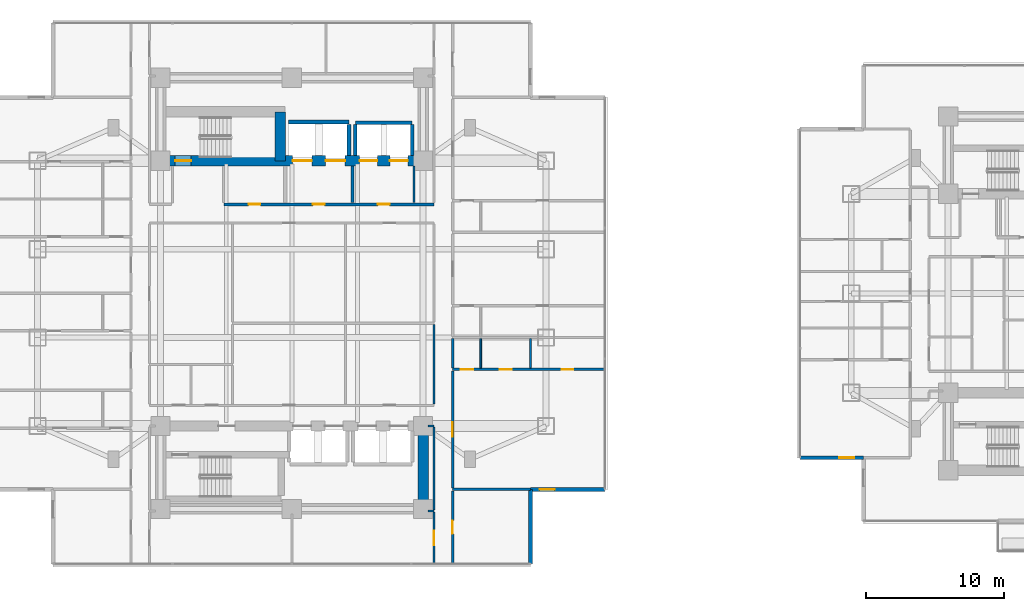
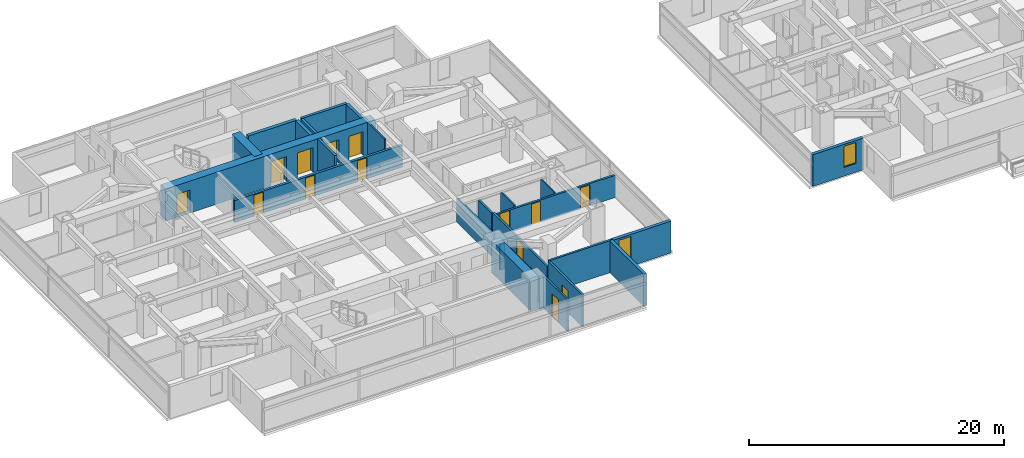
# One storey, part 16 of 27: 26 walls, 14 doors, 2 windows, 16 openings.
"""IFC4 building model written with IfcOpenShell, lengths in metres."""

from ifc_helpers import new_model, si_unit, direction, frame, frame_2d, origin, place, context, subcontext, project, spatial, rectangle, extrude, material, layer, layer_set, type_object, element, fill, save


model = new_model("IFC4")

# Units and contexts
model_context = context("Model", 3, precision=1e-05, world=origin(), true_north=direction((0.0, 1.0)))
body_context = subcontext(model_context, "Body", "Model", "MODEL_VIEW")
ifc_project = project(units=[si_unit("LENGTHUNIT", "METRE"), si_unit("AREAUNIT", "SQUARE_METRE"), si_unit("VOLUMEUNIT", "CUBIC_METRE"), si_unit("PLANEANGLEUNIT", "RADIAN"), si_unit("MASSUNIT", "GRAM", prefix="KILO")], contexts=[model_context])

# Site, building, storey
site_placement = place(None, origin())
site = spatial("IfcSite", under=ifc_project, at=site_placement, CompositionType="ELEMENT")
building_placement = place(site_placement, origin())
building = spatial("IfcBuilding", under=site, at=building_placement, Name="Mirazonda Arch Towers", CompositionType="ELEMENT")
storey_placement = place(building_placement, frame((0.0, 0.0, 42.199951171875)))
storey = spatial("IfcBuildingStorey", under=building, at=storey_placement, Name="L11", CompositionType="ELEMENT", Elevation=42.199951171875)

# Wall, openings, doors
ifc_material_1 = material(Name="Concrete C60/75", Category="concrete")
ifc_layer_1 = layer(ifc_material_1, 0.75, Name="WALL-CORE-750")
ifc_layer_set_1 = layer_set([ifc_layer_1], Name="Concrete C60/75")
wall_type_1 = type_object("IfcWallType", Name="WALL-CORE-750", PredefinedType="SHEAR", material=ifc_layer_set_1)
wall_1_placement = place(storey_placement, frame((11.0, 37.60009765625, 0.0), z_axis=(0.0, 0.0, 1.0), x_axis=(1.0, 0.0, 0.0)))
wall_1 = element("IfcWall", 1, at=wall_1_placement, inside=storey, type_object=wall_type_1, Name="L11 T1N-S Core Shear Wall", PredefinedType="SHEAR", context=body_context, shape_type="SweptSolid", body=[
    extrude(rectangle(XDim=19.0, YDim=0.75, at=frame_2d((9.5, 0.0))), origin(), (0.0, 0.0, 1.0), 3.06005859375),
])
opening_1_placement = place(wall_1_placement, frame((1.06005859375, 0.0, 0.0)))
opening_1 = element("IfcOpeningElement", 2, at=opening_1_placement, cuts=wall_1, Name="Opening DR-135", PredefinedType="OPENING", context=body_context, shape_type="SweptSolid", body=[
    extrude(rectangle(XDim=1.14990234375, YDim=2.199951171875, at=frame_2d((0.574951171875, 1.10009765625))), frame((0.0, 0.385009765625, 0.0), z_axis=(0.0, -1.0, 0.0), x_axis=(1.0, 0.0, 0.0)), (0.0, 0.0, 1.0), 0.77001953125),
])
opening_2_placement = place(wall_1_placement, frame((9.550048828125, 0.0, 0.0)))
opening_2 = element("IfcOpeningElement", 3, at=opening_2_placement, cuts=wall_1, Name="Opening LD-112", PredefinedType="OPENING", context=body_context, shape_type="SweptSolid", body=[
    extrude(rectangle(XDim=1.39990234375, YDim=2.35009765625, at=frame_2d((0.699951171875, 1.175048828125))), frame((0.0, 0.385009765625, 0.0), z_axis=(0.0, -1.0, 0.0), x_axis=(1.0, 0.0, 0.0)), (0.0, 0.0, 1.0), 0.77001953125),
])
opening_3_placement = place(wall_1_placement, frame((11.949951171875, 0.0, 0.0)))
opening_3 = element("IfcOpeningElement", 4, at=opening_3_placement, cuts=wall_1, Name="Opening LD-112", PredefinedType="OPENING", context=body_context, shape_type="SweptSolid", body=[
    extrude(rectangle(XDim=1.39990234375, YDim=2.35009765625, at=frame_2d((0.699951171875, 1.175048828125))), frame((0.0, 0.385009765625, 0.0), z_axis=(0.0, -1.0, 0.0), x_axis=(1.0, 0.0, 0.0)), (0.0, 0.0, 1.0), 0.77001953125),
])
opening_4_placement = place(wall_1_placement, frame((14.39990234375, 0.0, 0.0)))
opening_4 = element("IfcOpeningElement", 5, at=opening_4_placement, cuts=wall_1, Name="Opening LD-111", PredefinedType="OPENING", context=body_context, shape_type="SweptSolid", body=[
    extrude(rectangle(XDim=1.300048828125, YDim=2.300048828125, at=frame_2d((0.64990234375, 1.14990234375))), frame((0.0, 0.385009765625, 0.0), z_axis=(0.0, -1.0, 0.0), x_axis=(1.0, 0.0, 0.0)), (0.0, 0.0, 1.0), 0.77001953125),
])
opening_5_placement = place(wall_1_placement, frame((16.60009765625, 0.0, 0.0)))
opening_5 = element("IfcOpeningElement", 6, at=opening_5_placement, cuts=wall_1, Name="Opening LD-111", PredefinedType="OPENING", context=body_context, shape_type="SweptSolid", body=[
    extrude(rectangle(XDim=1.300048828125, YDim=2.300048828125, at=frame_2d((0.64990234375, 1.14990234375))), frame((0.0, 0.385009765625, 0.0), z_axis=(0.0, -1.0, 0.0), x_axis=(1.0, 0.0, 0.0)), (0.0, 0.0, 1.0), 0.77001953125),
])
ifc_material_2 = material(Name="Architectural Brushed Steel S355", Category="steel")
door_type_1 = type_object("IfcDoorType", Name="DOOR-LIFT-FFL-1400", OperationType="NOTDEFINED", PredefinedType="DOOR", material=ifc_material_2)
door_1_placement = place(opening_2_placement, origin())
door_1 = element("IfcDoor", 7, at=door_1_placement, inside=storey, type_object=door_type_1, Name="L11 Lift Landing Sliding Door FFL-T1", OperationType="DOUBLE_DOOR_SLIDING", OverallHeight=2.35009765625, OverallWidth=1.39990234375, PredefinedType="DOOR", context=body_context, shape_type="SweptSolid", body=[
    extrude(rectangle(XDim=1.39990234375, YDim=2.35009765625, at=frame_2d((0.699951171875, 1.175048828125))), frame((0.0, 0.02490234375, 0.0), z_axis=(0.0, -1.0, 0.0), x_axis=(1.0, 0.0, 0.0)), (0.0, 0.0, 1.0), 0.050048828125),
])
fill(opening_2, door_1)
door_2_placement = place(opening_3_placement, origin())
door_2 = element("IfcDoor", 8, at=door_2_placement, inside=storey, type_object=door_type_1, Name="L11 Lift Landing Sliding Door SVL-T1", OperationType="DOUBLE_DOOR_SLIDING", OverallHeight=2.35009765625, OverallWidth=1.39990234375, PredefinedType="DOOR", context=body_context, shape_type="SweptSolid", body=[
    extrude(rectangle(XDim=1.39990234375, YDim=2.35009765625, at=frame_2d((0.699951171875, 1.175048828125))), frame((0.0, 0.02490234375, 0.0), z_axis=(0.0, -1.0, 0.0), x_axis=(1.0, 0.0, 0.0)), (0.0, 0.0, 1.0), 0.050048828125),
])
fill(opening_3, door_2)
door_type_2 = type_object("IfcDoorType", Name="DOOR-LIFT-LAND-1300", OperationType="NOTDEFINED", PredefinedType="DOOR", material=ifc_material_2)
door_3_placement = place(opening_4_placement, origin())
door_3 = element("IfcDoor", 9, at=door_3_placement, inside=storey, type_object=door_type_2, Name="L11 Lift Landing Sliding Door PL-T1L1", OperationType="DOUBLE_DOOR_SLIDING", OverallHeight=2.300048828125, OverallWidth=1.300048828125, PredefinedType="DOOR", context=body_context, shape_type="SweptSolid", body=[
    extrude(rectangle(XDim=1.300048828125, YDim=2.300048828125, at=frame_2d((0.64990234375, 1.14990234375))), frame((0.0, 0.02490234375, 0.0), z_axis=(0.0, -1.0, 0.0), x_axis=(1.0, 0.0, 0.0)), (0.0, 0.0, 1.0), 0.050048828125),
])
fill(opening_4, door_3)
door_4_placement = place(opening_5_placement, origin())
door_4 = element("IfcDoor", 10, at=door_4_placement, inside=storey, type_object=door_type_2, Name="L11 Lift Landing Sliding Door PL-T1L2", OperationType="DOUBLE_DOOR_SLIDING", OverallHeight=2.300048828125, OverallWidth=1.300048828125, PredefinedType="DOOR", context=body_context, shape_type="SweptSolid", body=[
    extrude(rectangle(XDim=1.300048828125, YDim=2.300048828125, at=frame_2d((0.64990234375, 1.14990234375))), frame((0.0, 0.02490234375, 0.0), z_axis=(0.0, -1.0, 0.0), x_axis=(1.0, 0.0, 0.0)), (0.0, 0.0, 1.0), 0.050048828125),
])
fill(opening_5, door_4)
door_type_3 = type_object("IfcDoorType", Name="DOOR-STAIR-FD90-1150", OperationType="NOTDEFINED", PredefinedType="DOOR", material=ifc_material_2)
door_5_placement = place(opening_1_placement, origin())
door_5 = element("IfcDoor", 11, at=door_5_placement, inside=storey, type_object=door_type_3, Name="L11 Protected Exit Stair North Door", OperationType="SINGLE_SWING_RIGHT", OverallHeight=2.199951171875, OverallWidth=1.14990234375, PredefinedType="DOOR", context=body_context, shape_type="SweptSolid", body=[
    extrude(rectangle(XDim=1.14990234375, YDim=2.199951171875, at=frame_2d((0.574951171875, 1.10009765625))), frame((0.0, 0.02490234375, 0.0), z_axis=(0.0, -1.0, 0.0), x_axis=(1.0, 0.0, 0.0)), (0.0, 0.0, 1.0), 0.050048828125),
])
fill(opening_1, door_5)

# Walls
wall_2_placement = place(storey_placement, frame((19.64990234375, 37.60009765625, 0.0), z_axis=(0.0, 0.0, 1.0), x_axis=(0.0, 1.0, 0.0)))
element("IfcWall", 12, at=wall_2_placement, inside=storey, type_object=wall_type_1, Name="L11 T1N-STE Core Shear Wall", PredefinedType="SHEAR", context=body_context, shape_type="SweptSolid", body=[
    extrude(rectangle(XDim=3.54296875, YDim=0.75, at=frame_2d((1.771484375, 0.0))), origin(), (0.0, 0.0, 1.0), 3.06005859375),
])
wall_3_placement = place(storey_placement, frame((30.0, 12.39990234375, 0.0), z_axis=(0.0, 0.0, 1.0), x_axis=(0.0, 1.0, 0.0)))
element("IfcWall", 13, at=wall_3_placement, inside=storey, type_object=wall_type_1, Name="L11 T1S-E Core Shear Wall", PredefinedType="SHEAR", context=body_context, shape_type="SweptSolid", body=[
    extrude(rectangle(XDim=6.0, YDim=0.75, at=frame_2d((3.0, 0.0))), origin(), (0.0, 0.0, 1.0), 3.06005859375),
])

# Wall, opening, window
ifc_material_3 = material(Name="Precast Concrete C40/50", Category="concrete")
ifc_layer_2 = layer(ifc_material_3, 0.280029296875, Name="WALL-EXT-WALL-280")
ifc_layer_set_2 = layer_set([ifc_layer_2], Name="Precast Concrete C40/50")
wall_type_2 = type_object("IfcWallType", Name="WALL-EXT-WALL-280", PredefinedType="SOLIDWALL", material=ifc_layer_set_2)
wall_4_placement = place(storey_placement, frame((37.780029296875, 13.81201171875, 0.0), z_axis=(0.0, 0.0, 1.0), x_axis=(1.0, 0.0, 0.0)))
wall_4 = element("IfcWall", 14, at=wall_4_placement, inside=storey, type_object=wall_type_2, Name="L11 T1 Corner Notch Return Wall WL-L11-T1-CSE1", PredefinedType="SOLIDWALL", context=body_context, shape_type="SweptSolid", body=[
    extrude(rectangle(XDim=5.3798828125, YDim=0.280029296875, at=frame_2d((2.68994140625, 0.0))), origin(), (0.0, 0.0, 1.0), 3.0400390625),
])
opening_6_placement = place(wall_4_placement, frame((0.64990234375, 0.0, 0.85009765625)))
opening_6 = element("IfcOpeningElement", 15, at=opening_6_placement, cuts=wall_4, Name="Opening WN-108", PredefinedType="OPENING", context=body_context, shape_type="SweptSolid", body=[
    extrude(rectangle(XDim=1.10009765625, YDim=2.0, at=frame_2d((0.550048828125, 1.0))), frame((0.0, 0.14990234375, 0.0), z_axis=(0.0, -1.0, 0.0), x_axis=(1.0, 0.0, 0.0)), (0.0, 0.0, 1.0), 0.300048828125),
])
ifc_material_4 = material(Name="Insulated Low-E Solar Glass", Category="glass")
window_type = type_object("IfcWindowType", Name="WIN-NOTCH-1100x2000", PartitioningType="SINGLE_PANEL", PredefinedType="WINDOW", material=ifc_material_4)
window_1_placement = place(opening_6_placement, origin())
window_1 = element("IfcWindow", 16, at=window_1_placement, inside=storey, type_object=window_type, Name="L11 Punched Facade Window WN-L11-T1-CSE1", OverallHeight=2.0, OverallWidth=1.10009765625, PartitioningType="SINGLE_PANEL", PredefinedType="WINDOW", context=body_context, shape_type="SweptSolid", body=[
    extrude(rectangle(XDim=1.10009765625, YDim=2.0, at=frame_2d((0.550048828125, 1.0))), frame((0.0, 0.030029296875, 0.0), z_axis=(0.0, -1.0, 0.0), x_axis=(1.0, 0.0, 0.0)), (0.0, 0.0, 1.0), 0.06005859375),
])
fill(opening_6, window_1)

# Wall
wall_5_placement = place(storey_placement, frame((37.780029296875, 8.431884765625, 0.0), z_axis=(0.0, 0.0, 1.0), x_axis=(0.0, 1.0, 0.0)))
element("IfcWall", 17, at=wall_5_placement, inside=storey, type_object=wall_type_2, Name="L11 T1 Corner Notch Return Wall WL-L11-T1-CSE2", PredefinedType="SOLIDWALL", context=body_context, shape_type="SweptSolid", body=[
    extrude(rectangle(XDim=5.380126953125, YDim=0.280029296875, at=frame_2d((2.68994140625, 0.0))), origin(), (0.0, 0.0, 1.0), 3.0400390625),
])

# Wall, opening, window
wall_6_placement = place(storey_placement, frame((57.2919921875, 16.10009765625, 0.0), z_axis=(0.0, 0.0, 1.0), x_axis=(1.0, 0.0, 0.0)))
wall_6 = element("IfcWall", 18, at=wall_6_placement, inside=storey, type_object=wall_type_2, Name="L11 T2 Corner Notch Return Wall WL-L11-T2-CSW2", PredefinedType="SOLIDWALL", context=body_context, shape_type="SweptSolid", body=[
    extrude(rectangle(XDim=4.580078125, YDim=0.280029296875, at=frame_2d((2.2900390625, 0.0))), origin(), (0.0, 0.0, 1.0), 3.0400390625),
])
opening_7_placement = place(wall_6_placement, frame((2.830078125, 0.0, 0.85009765625)))
opening_7 = element("IfcOpeningElement", 19, at=opening_7_placement, cuts=wall_6, Name="Opening WN-108", PredefinedType="OPENING", context=body_context, shape_type="SweptSolid", body=[
    extrude(rectangle(XDim=1.10009765625, YDim=2.0, at=frame_2d((0.550048828125, 1.0))), frame((0.0, 0.14990234375, 0.0), z_axis=(0.0, -1.0, 0.0), x_axis=(1.0, 0.0, 0.0)), (0.0, 0.0, 1.0), 0.300048828125),
])
window_2_placement = place(opening_7_placement, origin())
window_2 = element("IfcWindow", 20, at=window_2_placement, inside=storey, type_object=window_type, Name="L11 Punched Facade Window WN-L11-T2-CSW2", OverallHeight=2.0, OverallWidth=1.10009765625, PartitioningType="SINGLE_PANEL", PredefinedType="WINDOW", context=body_context, shape_type="SweptSolid", body=[
    extrude(rectangle(XDim=1.10009765625, YDim=2.0, at=frame_2d((0.550048828125, 1.0))), frame((0.0, 0.030029296875, 0.0), z_axis=(0.0, -1.0, 0.0), x_axis=(1.0, 0.0, 0.0)), (0.0, 0.0, 1.0), 0.06005859375),
])
fill(opening_7, window_2)

# Wall, openings, doors
ifc_material_5 = material(Name="Concrete C40/50", Category="concrete")
ifc_layer_3 = layer(ifc_material_5, 0.219970703125, Name="WALL-FFL-220")
ifc_layer_set_3 = layer_set([ifc_layer_3], Name="Concrete C40/50")
wall_type_3 = type_object("IfcWallType", Name="WALL-FFL-220", PredefinedType="SOLIDWALL", material=ifc_layer_set_3)
wall_7_placement = place(storey_placement, frame((15.590087890625, 34.449951171875, 0.0), z_axis=(0.0, 0.0, 1.0), x_axis=(1.0, 0.0, 0.0)))
wall_7 = element("IfcWall", 21, at=wall_7_placement, inside=storey, type_object=wall_type_3, Name="L11 Interior Partition 047", PredefinedType="SOLIDWALL", context=body_context, shape_type="SweptSolid", body=[
    extrude(rectangle(XDim=15.2099609375, YDim=0.219970703125, at=frame_2d((7.60498046875, 0.0))), origin(), (0.0, 0.0, 1.0), 2.10400390625),
])
opening_8_placement = place(wall_7_placement, frame((6.43505859375, 0.0, 0.0)))
opening_8 = element("IfcOpeningElement", 22, at=opening_8_placement, cuts=wall_7, Name="Opening DR-128", PredefinedType="OPENING", context=body_context, shape_type="SweptSolid", body=[
    extrude(rectangle(XDim=0.85009765625, YDim=2.010009765625, at=frame_2d((0.425048828125, 1.0048828125))), frame((0.0, 0.119873046875, 0.0), z_axis=(0.0, -1.0, 0.0), x_axis=(1.0, 0.0, 0.0)), (0.0, 0.0, 1.0), 0.239990234375),
])
opening_9_placement = place(wall_7_placement, frame((11.135009765625, 0.0, 0.0)))
opening_9 = element("IfcOpeningElement", 23, at=opening_9_placement, cuts=wall_7, Name="Opening DR-128", PredefinedType="OPENING", context=body_context, shape_type="SweptSolid", body=[
    extrude(rectangle(XDim=0.85009765625, YDim=2.010009765625, at=frame_2d((0.425048828125, 1.0048828125))), frame((0.0, 0.119873046875, 0.0), z_axis=(0.0, -1.0, 0.0), x_axis=(1.0, 0.0, 0.0)), (0.0, 0.0, 1.0), 0.239990234375),
])
opening_10_placement = place(wall_7_placement, frame((1.77490234375, 0.0, 0.0)))
opening_10 = element("IfcOpeningElement", 24, at=opening_10_placement, cuts=wall_7, Name="Opening DR-128", PredefinedType="OPENING", context=body_context, shape_type="SweptSolid", body=[
    extrude(rectangle(XDim=0.85009765625, YDim=2.010009765625, at=frame_2d((0.425048828125, 1.0048828125))), frame((0.0, 0.119873046875, 0.0), z_axis=(0.0, -1.0, 0.0), x_axis=(1.0, 0.0, 0.0)), (0.0, 0.0, 1.0), 0.239990234375),
])
door_type_4 = type_object("IfcDoorType", Name="DOOR-RISER-FD60-850", OperationType="NOTDEFINED", PredefinedType="DOOR", material=ifc_material_2)
door_6_placement = place(opening_8_placement, origin())
door_6 = element("IfcDoor", 25, at=door_6_placement, inside=storey, type_object=door_type_4, Name="L11 Firefighting Lift Lobby Door", OperationType="SINGLE_SWING_LEFT", OverallHeight=2.010009765625, OverallWidth=0.85009765625, PredefinedType="DOOR", context=body_context, shape_type="SweptSolid", body=[
    extrude(rectangle(XDim=0.85009765625, YDim=2.010009765625, at=frame_2d((0.425048828125, 1.0048828125))), frame((0.0, 0.02490234375, 0.0), z_axis=(0.0, -1.0, 0.0), x_axis=(1.0, 0.0, 0.0)), (0.0, 0.0, 1.0), 0.050048828125),
])
fill(opening_8, door_6)
door_7_placement = place(opening_9_placement, origin())
door_7 = element("IfcDoor", 26, at=door_7_placement, inside=storey, type_object=door_type_4, Name="L11 Passenger Lift Lobby North Door", OperationType="SINGLE_SWING_RIGHT", OverallHeight=2.010009765625, OverallWidth=0.85009765625, PredefinedType="DOOR", context=body_context, shape_type="SweptSolid", body=[
    extrude(rectangle(XDim=0.85009765625, YDim=2.010009765625, at=frame_2d((0.425048828125, 1.0048828125))), frame((0.0, 0.02490234375, 0.0), z_axis=(0.0, -1.0, 0.0), x_axis=(1.0, 0.0, 0.0)), (0.0, 0.0, 1.0), 0.050048828125),
])
fill(opening_9, door_7)
door_8_placement = place(opening_10_placement, origin())
door_8 = element("IfcDoor", 27, at=door_8_placement, inside=storey, type_object=door_type_4, Name="L11 Housekeeping Linen Room Door", OperationType="SINGLE_SWING_LEFT", OverallHeight=2.010009765625, OverallWidth=0.85009765625, PredefinedType="DOOR", context=body_context, shape_type="SweptSolid", body=[
    extrude(rectangle(XDim=0.85009765625, YDim=2.010009765625, at=frame_2d((0.425048828125, 1.0048828125))), frame((0.0, 0.02490234375, 0.0), z_axis=(0.0, -1.0, 0.0), x_axis=(1.0, 0.0, 0.0)), (0.0, 0.0, 1.0), 0.050048828125),
])
fill(opening_10, door_8)

# Walls
wall_8_placement = place(storey_placement, frame((24.875, 34.570068359375, 0.0), z_axis=(0.0, 0.0, 1.0), x_axis=(0.0, 1.0, 0.0)))
element("IfcWall", 28, at=wall_8_placement, inside=storey, type_object=wall_type_3, Name="L11 Interior Partition 102", PredefinedType="SOLIDWALL", context=body_context, shape_type="SweptSolid", body=[
    extrude(rectangle(XDim=2.659912109375, YDim=0.219970703125, at=frame_2d((1.330078125, 0.0))), origin(), (0.0, 0.0, 1.0), 3.06005859375),
])
ifc_material_6 = material(Name="Fire-Rated Gypsum Stud Partition")
ifc_layer_4 = layer(ifc_material_6, 0.14990234375, Name="WALL-PART-CORR-150")
ifc_layer_set_4 = layer_set([ifc_layer_4], Name="Fire-Rated Gypsum Stud Partition")
wall_type_4 = type_object("IfcWallType", Name="WALL-PART-CORR-150", PredefinedType="PARTITIONING", material=ifc_layer_set_4)
wall_9_placement = place(storey_placement, frame((30.3701171875, 12.25, 0.0), z_axis=(0.0, 0.0, 1.0), x_axis=(1.0, 0.0, 0.0)))
element("IfcWall", 29, at=wall_9_placement, inside=storey, type_object=wall_type_4, Name="L11 Interior Partition 002", PredefinedType="PARTITIONING", context=body_context, shape_type="SweptSolid", body=[
    extrude(rectangle(XDim=0.429931640625, YDim=0.14990234375, at=frame_2d((0.21484375, 0.0))), origin(), (0.0, 0.0, 1.0), 3.06005859375),
])
wall_10_placement = place(storey_placement, frame((30.3701171875, 18.39990234375, 0.0), z_axis=(0.0, 0.0, 1.0), x_axis=(1.0, 0.0, 0.0)))
element("IfcWall", 30, at=wall_10_placement, inside=storey, type_object=wall_type_4, Name="L11 Interior Partition 014", PredefinedType="PARTITIONING", context=body_context, shape_type="SweptSolid", body=[
    extrude(rectangle(XDim=0.429931640625, YDim=0.14990234375, at=frame_2d((0.21484375, 0.0))), origin(), (0.0, 0.0, 1.0), 2.43603515625),
])
wall_11_placement = place(storey_placement, frame((29.35009765625, 34.570068359375, 0.0), z_axis=(0.0, 0.0, 1.0), x_axis=(0.0, 1.0, 0.0)))
element("IfcWall", 31, at=wall_11_placement, inside=storey, type_object=wall_type_4, Name="L11 Interior Partition 105", PredefinedType="PARTITIONING", context=body_context, shape_type="SweptSolid", body=[
    extrude(rectangle(XDim=2.659912109375, YDim=0.14990234375, at=frame_2d((1.330078125, 0.0))), origin(), (0.0, 0.0, 1.0), 3.06005859375),
])

# Wall, opening, door
wall_12_placement = place(storey_placement, frame((30.800048828125, 8.431884765625, 0.0), z_axis=(0.0, 0.0, 1.0), x_axis=(0.0, 1.0, 0.0)))
wall_12 = element("IfcWall", 32, at=wall_12_placement, inside=storey, type_object=wall_type_4, Name="L11 Interior Partition 107", PredefinedType="PARTITIONING", context=body_context, shape_type="SweptSolid", body=[
    extrude(rectangle(XDim=3.733154296875, YDim=0.14990234375, at=frame_2d((1.86669921875, 0.0))), origin(), (0.0, 0.0, 1.0), 3.06005859375),
])
opening_11_placement = place(wall_12_placement, frame((1.341552734375, 0.0, 0.0)))
opening_11 = element("IfcOpeningElement", 33, at=opening_11_placement, cuts=wall_12, Name="Opening DR-121", PredefinedType="OPENING", context=body_context, shape_type="SweptSolid", body=[
    extrude(rectangle(XDim=1.050048828125, YDim=2.199951171875, at=frame_2d((0.52490234375, 1.10009765625))), frame((0.0, 0.0849609375, 0.0), z_axis=(0.0, -1.0, 0.0), x_axis=(1.0, 0.0, 0.0)), (0.0, 0.0, 1.0), 0.169921875),
])
door_type_5 = type_object("IfcDoorType", Name="DOOR-SUITE-FD60-1050", OperationType="NOTDEFINED", PredefinedType="DOOR", material=ifc_material_2)
door_9_placement = place(opening_11_placement, origin())
door_9 = element("IfcDoor", 34, at=door_9_placement, inside=storey, type_object=door_type_5, Name="L11 South Panoramic Study East Door", OperationType="SINGLE_SWING_RIGHT", OverallHeight=2.199951171875, OverallWidth=1.050048828125, PredefinedType="DOOR", context=body_context, shape_type="SweptSolid", body=[
    extrude(rectangle(XDim=1.050048828125, YDim=2.199951171875, at=frame_2d((0.52490234375, 1.10009765625))), frame((0.0, 0.02490234375, 0.0), z_axis=(0.0, -1.0, 0.0), x_axis=(1.0, 0.0, 0.0)), (0.0, 0.0, 1.0), 0.050048828125),
])
fill(opening_11, door_9)

# Walls
wall_13_placement = place(storey_placement, frame((30.800048828125, 12.3349609375, 0.0), z_axis=(0.0, 0.0, 1.0), x_axis=(0.0, 1.0, 0.0)))
element("IfcWall", 35, at=wall_13_placement, inside=storey, type_object=wall_type_4, Name="L11 Interior Partition 108", PredefinedType="PARTITIONING", context=body_context, shape_type="SweptSolid", body=[
    extrude(rectangle(XDim=5.97998046875, YDim=0.14990234375, at=frame_2d((2.989990234375, 0.0))), origin(), (0.0, 0.0, 1.0), 2.43603515625),
])
wall_14_placement = place(storey_placement, frame((30.800048828125, 19.985107421875, 0.0), z_axis=(0.0, 0.0, 1.0), x_axis=(0.0, 1.0, 0.0)))
element("IfcWall", 36, at=wall_14_placement, inside=storey, type_object=wall_type_4, Name="L11 Interior Partition 109", PredefinedType="PARTITIONING", context=body_context, shape_type="SweptSolid", body=[
    extrude(rectangle(XDim=5.769775390625, YDim=0.14990234375, at=frame_2d((2.884765625, 0.0))), origin(), (0.0, 0.0, 1.0), 2.279052734375),
])
ifc_material_7 = material(Name="Fire-Rated Gypsum Twin-Stud Assembly")
ifc_layer_5 = layer(ifc_material_7, 0.179931640625, Name="WALL-PART-DEMISE-180")
ifc_layer_set_5 = layer_set([ifc_layer_5], Name="Fire-Rated Gypsum Twin-Stud Assembly")
wall_type_5 = type_object("IfcWallType", Name="WALL-PART-DEMISE-180", PredefinedType="PARTITIONING", material=ifc_layer_set_5)
wall_15_placement = place(storey_placement, frame((32.139892578125, 13.81201171875, 0.0), z_axis=(0.0, 0.0, 1.0), x_axis=(1.0, 0.0, 0.0)))
element("IfcWall", 37, at=wall_15_placement, inside=storey, type_object=wall_type_5, Name="L11 Interior Partition 005", PredefinedType="PARTITIONING", context=body_context, shape_type="SweptSolid", body=[
    extrude(rectangle(XDim=5.6201171875, YDim=0.179931640625, at=frame_2d((2.81005859375, 0.0))), origin(), (0.0, 0.0, 1.0), 3.06005859375),
])

# Wall, openings, doors
wall_16_placement = place(storey_placement, frame((32.139892578125, 22.5, 0.0), z_axis=(0.0, 0.0, 1.0), x_axis=(1.0, 0.0, 0.0)))
wall_16 = element("IfcWall", 38, at=wall_16_placement, inside=storey, type_object=wall_type_5, Name="L11 Interior Partition 022", PredefinedType="PARTITIONING", context=body_context, shape_type="SweptSolid", body=[
    extrude(rectangle(XDim=11.02001953125, YDim=0.179931640625, at=frame_2d((5.510009765625, 0.0))), origin(), (0.0, 0.0, 1.0), 2.125),
])
opening_12_placement = place(wall_16_placement, frame((7.881103515625, 0.0, 0.0)))
opening_12 = element("IfcOpeningElement", 39, at=opening_12_placement, cuts=wall_16, Name="Opening DR-128", PredefinedType="OPENING", context=body_context, shape_type="SweptSolid", body=[
    extrude(rectangle(XDim=0.85009765625, YDim=2.010009765625, at=frame_2d((0.425048828125, 1.0048828125))), frame((0.0, 0.099853515625, 0.0), z_axis=(0.0, -1.0, 0.0), x_axis=(1.0, 0.0, 0.0)), (0.0, 0.0, 1.0), 0.199951171875),
])
opening_13_placement = place(wall_16_placement, frame((3.410888671875, 0.0, 0.0)))
opening_13 = element("IfcOpeningElement", 40, at=opening_13_placement, cuts=wall_16, Name="Opening DR-128", PredefinedType="OPENING", context=body_context, shape_type="SweptSolid", body=[
    extrude(rectangle(XDim=0.85009765625, YDim=2.010009765625, at=frame_2d((0.425048828125, 1.0048828125))), frame((0.0, 0.099853515625, 0.0), z_axis=(0.0, -1.0, 0.0), x_axis=(1.0, 0.0, 0.0)), (0.0, 0.0, 1.0), 0.199951171875),
])
opening_14_placement = place(wall_16_placement, frame((0.590087890625, 0.0, 0.0)))
opening_14 = element("IfcOpeningElement", 41, at=opening_14_placement, cuts=wall_16, Name="Opening DR-120", PredefinedType="OPENING", context=body_context, shape_type="SweptSolid", body=[
    extrude(rectangle(XDim=0.89990234375, YDim=2.10009765625, at=frame_2d((0.449951171875, 1.050048828125))), frame((0.0, 0.099853515625, 0.0), z_axis=(0.0, -1.0, 0.0), x_axis=(1.0, 0.0, 0.0)), (0.0, 0.0, 1.0), 0.199951171875),
])
door_10_placement = place(opening_12_placement, origin())
door_10 = element("IfcDoor", 42, at=door_10_placement, inside=storey, type_object=door_type_4, Name="L11 Residence 1 Principal Bedroom Door", OperationType="SINGLE_SWING_RIGHT", OverallHeight=2.010009765625, OverallWidth=0.85009765625, PredefinedType="DOOR", context=body_context, shape_type="SweptSolid", body=[
    extrude(rectangle(XDim=0.85009765625, YDim=2.010009765625, at=frame_2d((0.425048828125, 1.0048828125))), frame((0.0, 0.02490234375, 0.0), z_axis=(0.0, -1.0, 0.0), x_axis=(1.0, 0.0, 0.0)), (0.0, 0.0, 1.0), 0.050048828125),
])
fill(opening_12, door_10)
door_11_placement = place(opening_13_placement, origin())
door_11 = element("IfcDoor", 43, at=door_11_placement, inside=storey, type_object=door_type_4, Name="L11 Residence 1 Fitted Kitchen Door", OperationType="SINGLE_SWING_LEFT", OverallHeight=2.010009765625, OverallWidth=0.85009765625, PredefinedType="DOOR", context=body_context, shape_type="SweptSolid", body=[
    extrude(rectangle(XDim=0.85009765625, YDim=2.010009765625, at=frame_2d((0.425048828125, 1.0048828125))), frame((0.0, 0.02490234375, 0.0), z_axis=(0.0, -1.0, 0.0), x_axis=(1.0, 0.0, 0.0)), (0.0, 0.0, 1.0), 0.050048828125),
])
fill(opening_13, door_11)
door_type_6 = type_object("IfcDoorType", Name="DOOR-WC-900", OperationType="NOTDEFINED", PredefinedType="DOOR", material=ifc_material_2)
door_12_placement = place(opening_14_placement, origin())
door_12 = element("IfcDoor", 44, at=door_12_placement, inside=storey, type_object=door_type_6, Name="L11 Residence 1 Bathroom Door", OperationType="SINGLE_SWING_RIGHT", OverallHeight=2.10009765625, OverallWidth=0.89990234375, PredefinedType="DOOR", context=body_context, shape_type="SweptSolid", body=[
    extrude(rectangle(XDim=0.89990234375, YDim=2.10009765625, at=frame_2d((0.449951171875, 1.050048828125))), frame((0.0, 0.02490234375, 0.0), z_axis=(0.0, -1.0, 0.0), x_axis=(1.0, 0.0, 0.0)), (0.0, 0.0, 1.0), 0.050048828125),
])
fill(opening_14, door_12)

# Wall, opening, door
wall_17_placement = place(storey_placement, frame((32.139892578125, 8.431884765625, 0.0), z_axis=(0.0, 0.0, 1.0), x_axis=(0.0, 1.0, 0.0)))
wall_17 = element("IfcWall", 45, at=wall_17_placement, inside=storey, type_object=wall_type_5, Name="L11 Interior Partition 113", PredefinedType="PARTITIONING", context=body_context, shape_type="SweptSolid", body=[
    extrude(rectangle(XDim=5.280029296875, YDim=0.179931640625, at=frame_2d((2.64013671875, 0.0))), origin(), (0.0, 0.0, 1.0), 3.06005859375),
])
opening_15_placement = place(wall_17_placement, frame((2.1650390625, 0.0, 0.0)))
opening_15 = element("IfcOpeningElement", 46, at=opening_15_placement, cuts=wall_17, Name="Opening DR-104", PredefinedType="OPENING", context=body_context, shape_type="SweptSolid", body=[
    extrude(rectangle(XDim=0.949951171875, YDim=2.14990234375, at=frame_2d((0.47509765625, 1.074951171875))), frame((0.0, 0.099853515625, 0.0), z_axis=(0.0, -1.0, 0.0), x_axis=(1.0, 0.0, 0.0)), (0.0, 0.0, 1.0), 0.199951171875),
])
door_type_7 = type_object("IfcDoorType", Name="DOOR-ROOM-950", OperationType="NOTDEFINED", PredefinedType="DOOR", material=ifc_material_2)
door_13_placement = place(opening_15_placement, origin())
door_13 = element("IfcDoor", 47, at=door_13_placement, inside=storey, type_object=door_type_7, Name="L11 South Panoramic Study Alcove East Door", OperationType="SINGLE_SWING_RIGHT", OverallHeight=2.14990234375, OverallWidth=0.949951171875, PredefinedType="DOOR", context=body_context, shape_type="SweptSolid", body=[
    extrude(rectangle(XDim=0.949951171875, YDim=2.14990234375, at=frame_2d((0.47509765625, 1.074951171875))), frame((0.0, 0.02490234375, 0.0), z_axis=(0.0, -1.0, 0.0), x_axis=(1.0, 0.0, 0.0)), (0.0, 0.0, 1.0), 0.050048828125),
])
fill(opening_15, door_13)

wall_18_placement = place(storey_placement, frame((32.139892578125, 13.912109375, 0.0), z_axis=(0.0, 0.0, 1.0), x_axis=(0.0, 1.0, 0.0)))
wall_18 = element("IfcWall", 48, at=wall_18_placement, inside=storey, type_object=wall_type_5, Name="L11 Interior Partition 114", PredefinedType="PARTITIONING", context=body_context, shape_type="SweptSolid", body=[
    extrude(rectangle(XDim=8.48779296875, YDim=0.179931640625, at=frame_2d((4.243896484375, 0.0))), origin(), (0.0, 0.0, 1.0), 2.43603515625),
])
opening_16_placement = place(wall_18_placement, frame((3.718994140625, 0.0, 0.0)))
opening_16 = element("IfcOpeningElement", 49, at=opening_16_placement, cuts=wall_18, Name="Opening DR-121", PredefinedType="OPENING", context=body_context, shape_type="SweptSolid", body=[
    extrude(rectangle(XDim=1.050048828125, YDim=2.199951171875, at=frame_2d((0.52490234375, 1.10009765625))), frame((0.0, 0.099853515625, 0.0), z_axis=(0.0, -1.0, 0.0), x_axis=(1.0, 0.0, 0.0)), (0.0, 0.0, 1.0), 0.199951171875),
])
door_14_placement = place(opening_16_placement, origin())
door_14 = element("IfcDoor", 50, at=door_14_placement, inside=storey, type_object=door_type_5, Name="L11 Penthouse Residence 1 Living & Dining Salon Door", OperationType="SINGLE_SWING_LEFT", OverallHeight=2.199951171875, OverallWidth=1.050048828125, PredefinedType="DOOR", context=body_context, shape_type="SweptSolid", body=[
    extrude(rectangle(XDim=1.050048828125, YDim=2.199951171875, at=frame_2d((0.52490234375, 1.10009765625))), frame((0.0, 0.02490234375, 0.0), z_axis=(0.0, -1.0, 0.0), x_axis=(1.0, 0.0, 0.0)), (0.0, 0.0, 1.0), 0.050048828125),
])
fill(opening_16, door_14)

# Walls
wall_19_placement = place(storey_placement, frame((32.139892578125, 22.60009765625, 0.0), z_axis=(0.0, 0.0, 1.0), x_axis=(0.0, 1.0, 0.0)))
element("IfcWall", 51, at=wall_19_placement, inside=storey, type_object=wall_type_5, Name="L11 Interior Partition 115", PredefinedType="PARTITIONING", context=body_context, shape_type="SweptSolid", body=[
    extrude(rectangle(XDim=2.12744140625, YDim=0.179931640625, at=frame_2d((1.063720703125, 0.0))), origin(), (0.0, 0.0, 1.0), 2.279052734375),
])
ifc_material_8 = material(Name="Acoustic Fire-Rated Gypsum Partition")
ifc_layer_6 = layer(ifc_material_8, 0.125, Name="WALL-PART-UNIT-125")
ifc_layer_set_6 = layer_set([ifc_layer_6], Name="Acoustic Fire-Rated Gypsum Partition")
wall_type_6 = type_object("IfcWallType", Name="WALL-PART-UNIT-125", PredefinedType="PARTITIONING", material=ifc_layer_set_6)
for number, where, z_axis, x_axis, name in (
    (52, (34.179931640625, 22.60009765625, 0.0), (0.0, 0.0, 1.0), (0.0, 1.0, 0.0), "L11 Interior Partition 121"),
    (53, (37.77197265625, 22.60009765625, 0.0), (0.0, 0.0, 1.0), (0.0, 1.0, 0.0), "L11 Interior Partition 124"),
):
    element("IfcWall", number, at=place(storey_placement, frame(where, z_axis=z_axis, x_axis=x_axis)), inside=storey, type_object=wall_type_6, Name=name, PredefinedType="PARTITIONING", context=body_context, shape_type="SweptSolid", body=[
        extrude(rectangle(XDim=2.12744140625, YDim=0.125, at=frame_2d((1.063720703125, 0.0))), origin(), (0.0, 0.0, 1.0), 2.279052734375),
    ])
ifc_layer_7 = layer(ifc_material_5, 0.25, Name="WALL-SHAFT-250")
ifc_layer_set_7 = layer_set([ifc_layer_7], Name="Concrete C40/50")
wall_type_7 = type_object("IfcWallType", Name="WALL-SHAFT-250", PredefinedType="SOLIDWALL", material=ifc_layer_set_7)
wall_20_placement = place(storey_placement, frame((25.10009765625, 40.35009765625, 0.0), z_axis=(0.0, 0.0, 1.0), x_axis=(1.0, 0.0, 0.0)))
element("IfcWall", 54, at=wall_20_placement, inside=storey, type_object=wall_type_7, Name="L11 Interior Partition 059", PredefinedType="SOLIDWALL", context=body_context, shape_type="SweptSolid", body=[
    extrude(rectangle(XDim=4.099853515625, YDim=0.25, at=frame_2d((2.0498046875, 0.0))), origin(), (0.0, 0.0, 1.0), 3.06005859375),
])
for number, where, z_axis, x_axis, name in (
    (55, (25.10009765625, 37.969970703125, 0.0), (0.0, 0.0, 1.0), (0.0, 1.0, 0.0), "L11 Interior Partition 103"),
    (56, (29.199951171875, 37.969970703125, 0.0), (0.0, 0.0, 1.0), (0.0, 1.0, 0.0), "L11 Interior Partition 106"),
):
    element("IfcWall", number, at=place(storey_placement, frame(where, z_axis=z_axis, x_axis=x_axis)), inside=storey, type_object=wall_type_7, Name=name, PredefinedType="SOLIDWALL", context=body_context, shape_type="SweptSolid", body=[
        extrude(rectangle(XDim=2.2451171875, YDim=0.25, at=frame_2d((1.12255859375, 0.0))), origin(), (0.0, 0.0, 1.0), 3.06005859375),
    ])
ifc_material_9 = material(Name="Concrete C50/60", Category="concrete")
ifc_layer_8 = layer(ifc_material_9, 0.300048828125, Name="WALL-SHAFT-300")
ifc_layer_set_8 = layer_set([ifc_layer_8], Name="Concrete C50/60")
wall_type_8 = type_object("IfcWallType", Name="WALL-SHAFT-300", PredefinedType="SOLIDWALL", material=ifc_layer_set_8)
wall_21_placement = place(storey_placement, frame((20.25, 40.39990234375, 0.0), z_axis=(0.0, 0.0, 1.0), x_axis=(1.0, 0.0, 0.0)))
element("IfcWall", 57, at=wall_21_placement, inside=storey, type_object=wall_type_8, Name="L11 Interior Partition 060", PredefinedType="SOLIDWALL", context=body_context, shape_type="SweptSolid", body=[
    extrude(rectangle(XDim=4.39990234375, YDim=0.300048828125, at=frame_2d((2.199951171875, 0.0))), origin(), (0.0, 0.0, 1.0), 3.06005859375),
])
wall_22_placement = place(storey_placement, frame((24.64990234375, 37.969970703125, 0.0), z_axis=(0.0, 0.0, 1.0), x_axis=(0.0, 1.0, 0.0)))
element("IfcWall", 58, at=wall_22_placement, inside=storey, type_object=wall_type_8, Name="L11 Interior Partition 100", PredefinedType="SOLIDWALL", context=body_context, shape_type="SweptSolid", body=[
    extrude(rectangle(XDim=2.27001953125, YDim=0.300048828125, at=frame_2d((1.135009765625, 0.0))), origin(), (0.0, 0.0, 1.0), 3.06005859375),
])

save(model, "model.ifc")
